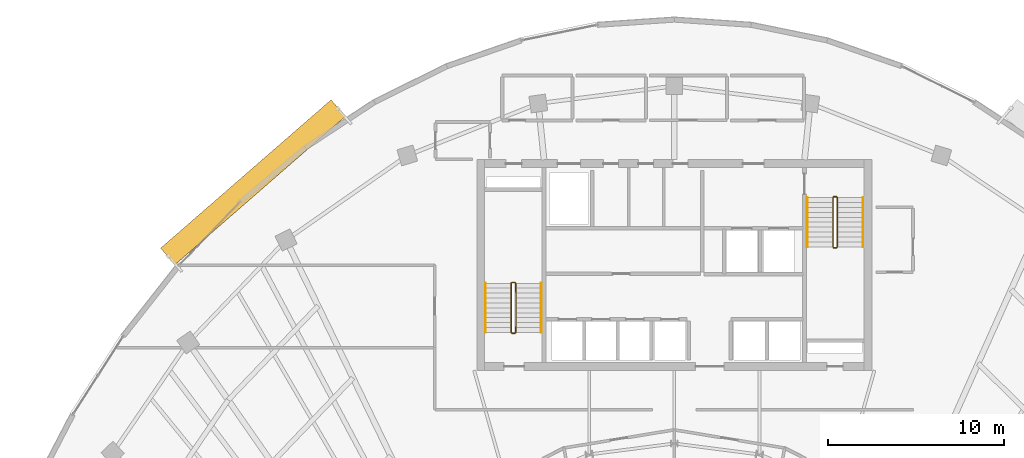
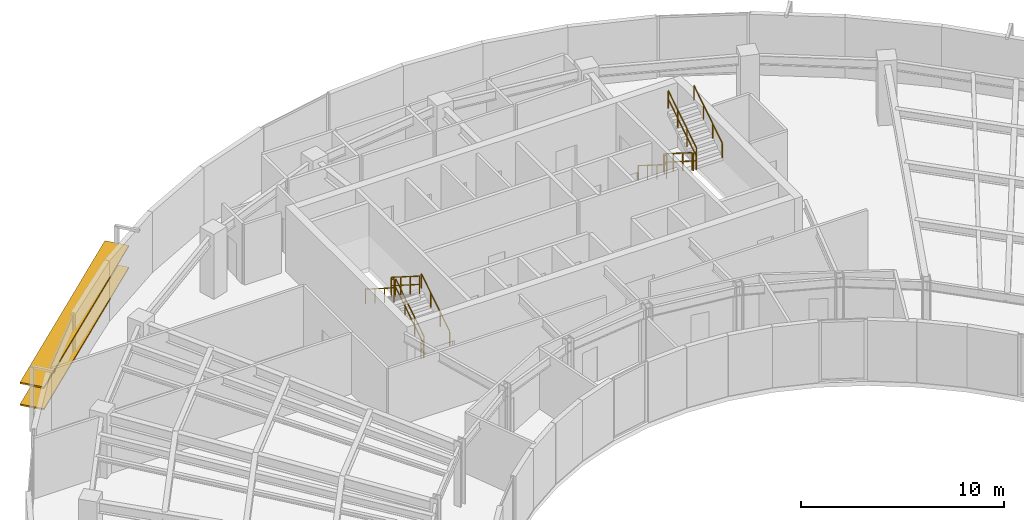
# One storey, part 13 of 14: 12 railings, 2 shading devices.
"""IFC4 building model written with IfcOpenShell, lengths in metres."""

from ifc_helpers import new_model, si_unit, direction, frame, origin, origin_2d, place, context, subcontext, project, spatial, rectangle, extrude, source, transform, mapped, material, material_profile, profile_set, type_object, element, save


model = new_model("IFC4")

# Units and contexts
model_context = context("Model", 3, precision=1e-05, world=origin(), true_north=direction((0.0, 1.0)))
body_context = subcontext(model_context, "Body", "Model", "MODEL_VIEW")
ifc_project = project(units=[si_unit("LENGTHUNIT", "METRE"), si_unit("AREAUNIT", "SQUARE_METRE"), si_unit("VOLUMEUNIT", "CUBIC_METRE"), si_unit("PLANEANGLEUNIT", "RADIAN"), si_unit("MASSUNIT", "GRAM", prefix="KILO")], contexts=[model_context])

# Site, building, storey
site_placement = place(None, origin())
site = spatial("IfcSite", under=ifc_project, at=site_placement, CompositionType="ELEMENT")
building_placement = place(site_placement, origin())
building = spatial("IfcBuilding", under=site, at=building_placement, Name="Breltana Convention Tower", CompositionType="ELEMENT")
storey_placement = place(building_placement, frame((0.0, 0.0, 207.89990234375)))
storey = spatial("IfcBuildingStorey", under=building, at=storey_placement, Name="L50", CompositionType="ELEMENT", Elevation=207.89990234375)

# Railings
ifc_material_1 = material(Name="Steel S275 Painted", Category="steel")
railing_type_1 = type_object("IfcRailingType", Name="RL-STAIR-GUARD-1100", PredefinedType="GUARDRAIL", material=ifc_material_1)
railing_1_placement = place(storey_placement, frame((38.9599609375, 62.360107421875, 0.177490234375)))
element("IfcRailing", 1, at=railing_1_placement, inside=storey, type_object=railing_type_1, Name="L50 ST-1 stair guard 1", PredefinedType="GUARDRAIL", context=body_context, shape_type="SweptSolid", body=[
    extrude(rectangle(XDim=0.048095703125, YDim=0.048095703125, at=origin_2d()), frame((0.0, 0.0, 1.076171875), z_axis=(0.0, 0.844887892834, 0.53494340686), x_axis=(-1.0, 0.0, 0.0)), (0.0, 0.0, 1.0), 3.313720703125),
    extrude(rectangle(XDim=0.048095703125, YDim=0.048095703125, at=origin_2d()), frame((0.0, 0.0, 0.572021484375), z_axis=(0.0, 0.844887892834, 0.53494340686), x_axis=(-1.0, 0.0, 0.0)), (0.0, 0.0, 1.0), 3.313720703125),
    extrude(rectangle(XDim=0.0419921875, YDim=0.0419921875, at=origin_2d()), origin(), (0.0, 0.0, 1.0), 1.052001953125),
    extrude(rectangle(XDim=0.0419921875, YDim=0.0419921875, at=origin_2d()), frame((0.0, 0.933349609375, 0.5908203125)), (0.0, 0.0, 1.0), 1.052001953125),
    extrude(rectangle(XDim=0.0419921875, YDim=0.0419921875, at=origin_2d()), frame((0.0, 1.866455078125, 1.181884765625)), (0.0, 0.0, 1.0), 1.052001953125),
    extrude(rectangle(XDim=0.0419921875, YDim=0.0419921875, at=origin_2d()), frame((0.0, 2.7998046875, 1.772705078125)), (0.0, 0.0, 1.0), 1.052001953125),
])
railing_2_placement = place(storey_placement, frame((38.909912109375, 65.2099609375, 1.9501953125)))
element("IfcRailing", 2, at=railing_2_placement, inside=storey, type_object=railing_type_1, Name="L50 ST-1 stair guard 2", PredefinedType="GUARDRAIL", context=body_context, shape_type="SweptSolid", body=[
    extrude(rectangle(XDim=0.048095703125, YDim=0.048095703125, at=origin_2d()), frame((0.0, 0.0, 1.076171875), z_axis=(-1.0, 0.0, 0.0), x_axis=(0.0, -1.0, 0.0)), (0.0, 0.0, 1.0), 0.14990234375),
    extrude(rectangle(XDim=0.048095703125, YDim=0.048095703125, at=origin_2d()), frame((0.0, 0.0, 0.572021484375), z_axis=(-1.0, 0.0, 0.0), x_axis=(0.0, -1.0, 0.0)), (0.0, 0.0, 1.0), 0.14990234375),
    extrude(rectangle(XDim=0.0419921875, YDim=0.0419921875, at=origin_2d()), origin(), (0.0, 0.0, 1.0), 1.052001953125),
    extrude(rectangle(XDim=0.0419921875, YDim=0.0419921875, at=origin_2d()), frame((-0.14990234375, 0.0, 0.0)), (0.0, 0.0, 1.0), 1.052001953125),
])
railing_3_placement = place(storey_placement, frame((38.7099609375, 65.159912109375, 2.12744140625)))
element("IfcRailing", 3, at=railing_3_placement, inside=storey, type_object=railing_type_1, Name="L50 ST-1 stair guard 3", PredefinedType="GUARDRAIL", context=body_context, shape_type="SweptSolid", body=[
    extrude(rectangle(XDim=0.048095703125, YDim=0.048095703125, at=origin_2d()), frame((0.0, 0.0, 1.076171875), z_axis=(0.0, -0.844887892834, 0.53494340686), x_axis=(1.0, 0.0, 0.0)), (0.0, 0.0, 1.0), 3.313720703125),
    extrude(rectangle(XDim=0.048095703125, YDim=0.048095703125, at=origin_2d()), frame((0.0, 0.0, 0.572021484375), z_axis=(0.0, -0.844887892834, 0.53494340686), x_axis=(1.0, 0.0, 0.0)), (0.0, 0.0, 1.0), 3.313720703125),
    extrude(rectangle(XDim=0.0419921875, YDim=0.0419921875, at=origin_2d()), origin(), (0.0, 0.0, 1.0), 1.052001953125),
    extrude(rectangle(XDim=0.0419921875, YDim=0.0419921875, at=origin_2d()), frame((0.0, -0.933349609375, 0.5908203125)), (0.0, 0.0, 1.0), 1.052001953125),
    extrude(rectangle(XDim=0.0419921875, YDim=0.0419921875, at=origin_2d()), frame((0.0, -1.866455078125, 1.181884765625)), (0.0, 0.0, 1.0), 1.052001953125),
    extrude(rectangle(XDim=0.0419921875, YDim=0.0419921875, at=origin_2d()), frame((0.0, -2.7998046875, 1.772705078125)), (0.0, 0.0, 1.0), 1.052001953125),
])
railing_4_placement = place(storey_placement, frame((38.909912109375, 62.31005859375, 0.0)))
element("IfcRailing", 4, at=railing_4_placement, inside=storey, type_object=railing_type_1, Name="L50 ST-1 stair guard 4", PredefinedType="GUARDRAIL", context=body_context, shape_type="SweptSolid", body=[
    extrude(rectangle(XDim=0.048095703125, YDim=0.048095703125, at=origin_2d()), frame((0.0, 0.0, 1.076171875), z_axis=(-1.0, 0.0, 0.0), x_axis=(0.0, -1.0, 0.0)), (0.0, 0.0, 1.0), 0.14990234375),
    extrude(rectangle(XDim=0.048095703125, YDim=0.048095703125, at=origin_2d()), frame((0.0, 0.0, 0.572021484375), z_axis=(-1.0, 0.0, 0.0), x_axis=(0.0, -1.0, 0.0)), (0.0, 0.0, 1.0), 0.14990234375),
    extrude(rectangle(XDim=0.0419921875, YDim=0.0419921875, at=origin_2d()), origin(), (0.0, 0.0, 1.0), 1.052001953125),
    extrude(rectangle(XDim=0.0419921875, YDim=0.0419921875, at=origin_2d()), frame((-0.14990234375, 0.0, 0.0)), (0.0, 0.0, 1.0), 1.052001953125),
])
railing_5_placement = place(storey_placement, frame((57.0400390625, 70.0400390625, 0.177490234375)))
element("IfcRailing", 5, at=railing_5_placement, inside=storey, type_object=railing_type_1, Name="L50 ST-2 stair guard 1", PredefinedType="GUARDRAIL", context=body_context, shape_type="SweptSolid", body=[
    extrude(rectangle(XDim=0.048095703125, YDim=0.048095703125, at=origin_2d()), frame((0.0, 0.0, 1.076171875), z_axis=(0.0, -0.844908973607, 0.534910110503), x_axis=(1.0, 0.0, 0.0)), (0.0, 0.0, 1.0), 3.31396484375),
    extrude(rectangle(XDim=0.048095703125, YDim=0.048095703125, at=origin_2d()), frame((0.0, 0.0, 0.572021484375), z_axis=(0.0, -0.844908973607, 0.534910110503), x_axis=(1.0, 0.0, 0.0)), (0.0, 0.0, 1.0), 3.31396484375),
    extrude(rectangle(XDim=0.0419921875, YDim=0.0419921875, at=origin_2d()), origin(), (0.0, 0.0, 1.0), 1.052001953125),
    extrude(rectangle(XDim=0.0419921875, YDim=0.0419921875, at=origin_2d()), frame((0.0, -0.933349609375, 0.5908203125)), (0.0, 0.0, 1.0), 1.052001953125),
    extrude(rectangle(XDim=0.0419921875, YDim=0.0419921875, at=origin_2d()), frame((0.0, -1.86669921875, 1.181884765625)), (0.0, 0.0, 1.0), 1.052001953125),
    extrude(rectangle(XDim=0.0419921875, YDim=0.0419921875, at=origin_2d()), frame((0.0, -2.800048828125, 1.772705078125)), (0.0, 0.0, 1.0), 1.052001953125),
])
railing_6_placement = place(storey_placement, frame((57.090087890625, 67.18994140625, 1.9501953125)))
element("IfcRailing", 6, at=railing_6_placement, inside=storey, type_object=railing_type_1, Name="L50 ST-2 stair guard 2", PredefinedType="GUARDRAIL", context=body_context, shape_type="SweptSolid", body=[
    extrude(rectangle(XDim=0.048095703125, YDim=0.048095703125, at=origin_2d()), frame((0.0, 0.0, 1.076171875), z_axis=(1.0, 0.0, 0.0), x_axis=(0.0, 1.0, 0.0)), (0.0, 0.0, 1.0), 0.14990234375),
    extrude(rectangle(XDim=0.048095703125, YDim=0.048095703125, at=origin_2d()), frame((0.0, 0.0, 0.572021484375), z_axis=(1.0, 0.0, 0.0), x_axis=(0.0, 1.0, 0.0)), (0.0, 0.0, 1.0), 0.14990234375),
    extrude(rectangle(XDim=0.0419921875, YDim=0.0419921875, at=origin_2d()), origin(), (0.0, 0.0, 1.0), 1.052001953125),
    extrude(rectangle(XDim=0.0419921875, YDim=0.0419921875, at=origin_2d()), frame((0.14990234375, 0.0, 0.0)), (0.0, 0.0, 1.0), 1.052001953125),
])
railing_7_placement = place(storey_placement, frame((57.2900390625, 67.239990234375, 2.12744140625)))
element("IfcRailing", 7, at=railing_7_placement, inside=storey, type_object=railing_type_1, Name="L50 ST-2 stair guard 3", PredefinedType="GUARDRAIL", context=body_context, shape_type="SweptSolid", body=[
    extrude(rectangle(XDim=0.048095703125, YDim=0.048095703125, at=origin_2d()), frame((0.0, 0.0, 1.076171875), z_axis=(0.0, 0.844908973607, 0.534910110503), x_axis=(-1.0, 0.0, 0.0)), (0.0, 0.0, 1.0), 3.31396484375),
    extrude(rectangle(XDim=0.048095703125, YDim=0.048095703125, at=origin_2d()), frame((0.0, 0.0, 0.572021484375), z_axis=(0.0, 0.844908973607, 0.534910110503), x_axis=(-1.0, 0.0, 0.0)), (0.0, 0.0, 1.0), 3.31396484375),
    extrude(rectangle(XDim=0.0419921875, YDim=0.0419921875, at=origin_2d()), origin(), (0.0, 0.0, 1.0), 1.052001953125),
    extrude(rectangle(XDim=0.0419921875, YDim=0.0419921875, at=origin_2d()), frame((0.0, 0.933349609375, 0.5908203125)), (0.0, 0.0, 1.0), 1.052001953125),
    extrude(rectangle(XDim=0.0419921875, YDim=0.0419921875, at=origin_2d()), frame((0.0, 1.86669921875, 1.181884765625)), (0.0, 0.0, 1.0), 1.052001953125),
    extrude(rectangle(XDim=0.0419921875, YDim=0.0419921875, at=origin_2d()), frame((0.0, 2.800048828125, 1.772705078125)), (0.0, 0.0, 1.0), 1.052001953125),
])
railing_8_placement = place(storey_placement, frame((57.090087890625, 70.090087890625, 0.0)))
element("IfcRailing", 8, at=railing_8_placement, inside=storey, type_object=railing_type_1, Name="L50 ST-2 stair guard 4", PredefinedType="GUARDRAIL", context=body_context, shape_type="SweptSolid", body=[
    extrude(rectangle(XDim=0.048095703125, YDim=0.048095703125, at=origin_2d()), frame((0.0, 0.0, 1.076171875), z_axis=(1.0, 0.0, 0.0), x_axis=(0.0, 1.0, 0.0)), (0.0, 0.0, 1.0), 0.14990234375),
    extrude(rectangle(XDim=0.048095703125, YDim=0.048095703125, at=origin_2d()), frame((0.0, 0.0, 0.572021484375), z_axis=(1.0, 0.0, 0.0), x_axis=(0.0, 1.0, 0.0)), (0.0, 0.0, 1.0), 0.14990234375),
    extrude(rectangle(XDim=0.0419921875, YDim=0.0419921875, at=origin_2d()), origin(), (0.0, 0.0, 1.0), 1.052001953125),
    extrude(rectangle(XDim=0.0419921875, YDim=0.0419921875, at=origin_2d()), frame((0.14990234375, 0.0, 0.0)), (0.0, 0.0, 1.0), 1.052001953125),
])
ifc_material_2 = material(Name="Stainless Steel 316L", Category="steel")
railing_type_2 = type_object("IfcRailingType", Name="RL-STAIR-HANDRAIL-900", PredefinedType="HANDRAIL", material=ifc_material_2)
railing_9_placement = place(storey_placement, frame((40.419921875, 62.360107421875, 0.177490234375)))
element("IfcRailing", 9, at=railing_9_placement, inside=storey, type_object=railing_type_2, Name="L50 ST-1 stair handrail 1", PredefinedType="HANDRAIL", context=body_context, shape_type="SweptSolid", body=[
    extrude(rectangle(XDim=0.048095703125, YDim=0.048095703125, at=origin_2d()), frame((0.0, 0.0, 0.8759765625), z_axis=(0.0, 0.844887892834, 0.53494340686), x_axis=(-1.0, 0.0, 0.0)), (0.0, 0.0, 1.0), 3.313720703125),
    extrude(rectangle(XDim=0.0419921875, YDim=0.0419921875, at=origin_2d()), origin(), (0.0, 0.0, 1.0), 0.851806640625),
    extrude(rectangle(XDim=0.0419921875, YDim=0.0419921875, at=origin_2d()), frame((0.0, 0.933349609375, 0.5908203125)), (0.0, 0.0, 1.0), 0.851806640625),
    extrude(rectangle(XDim=0.0419921875, YDim=0.0419921875, at=origin_2d()), frame((0.0, 1.866455078125, 1.181884765625)), (0.0, 0.0, 1.0), 0.851806640625),
    extrude(rectangle(XDim=0.0419921875, YDim=0.0419921875, at=origin_2d()), frame((0.0, 2.7998046875, 1.772705078125)), (0.0, 0.0, 1.0), 0.851806640625),
])
railing_10_placement = place(storey_placement, frame((37.25, 65.159912109375, 2.12744140625)))
element("IfcRailing", 10, at=railing_10_placement, inside=storey, type_object=railing_type_2, Name="L50 ST-1 stair handrail 2", PredefinedType="HANDRAIL", context=body_context, shape_type="SweptSolid", body=[
    extrude(rectangle(XDim=0.048095703125, YDim=0.048095703125, at=origin_2d()), frame((0.0, 0.0, 0.8759765625), z_axis=(0.0, -0.844887892834, 0.53494340686), x_axis=(1.0, 0.0, 0.0)), (0.0, 0.0, 1.0), 3.313720703125),
    extrude(rectangle(XDim=0.0419921875, YDim=0.0419921875, at=origin_2d()), origin(), (0.0, 0.0, 1.0), 0.851806640625),
    extrude(rectangle(XDim=0.0419921875, YDim=0.0419921875, at=origin_2d()), frame((0.0, -0.933349609375, 0.5908203125)), (0.0, 0.0, 1.0), 0.851806640625),
    extrude(rectangle(XDim=0.0419921875, YDim=0.0419921875, at=origin_2d()), frame((0.0, -1.866455078125, 1.181884765625)), (0.0, 0.0, 1.0), 0.851806640625),
    extrude(rectangle(XDim=0.0419921875, YDim=0.0419921875, at=origin_2d()), frame((0.0, -2.7998046875, 1.772705078125)), (0.0, 0.0, 1.0), 0.851806640625),
])
railing_11_placement = place(storey_placement, frame((55.580078125, 70.0400390625, 0.177490234375)))
element("IfcRailing", 11, at=railing_11_placement, inside=storey, type_object=railing_type_2, Name="L50 ST-2 stair handrail 1", PredefinedType="HANDRAIL", context=body_context, shape_type="SweptSolid", body=[
    extrude(rectangle(XDim=0.048095703125, YDim=0.048095703125, at=origin_2d()), frame((0.0, 0.0, 0.8759765625), z_axis=(0.0, -0.844908973607, 0.534910110503), x_axis=(1.0, 0.0, 0.0)), (0.0, 0.0, 1.0), 3.31396484375),
    extrude(rectangle(XDim=0.0419921875, YDim=0.0419921875, at=origin_2d()), origin(), (0.0, 0.0, 1.0), 0.851806640625),
    extrude(rectangle(XDim=0.0419921875, YDim=0.0419921875, at=origin_2d()), frame((0.0, -0.933349609375, 0.5908203125)), (0.0, 0.0, 1.0), 0.851806640625),
    extrude(rectangle(XDim=0.0419921875, YDim=0.0419921875, at=origin_2d()), frame((0.0, -1.86669921875, 1.181884765625)), (0.0, 0.0, 1.0), 0.851806640625),
    extrude(rectangle(XDim=0.0419921875, YDim=0.0419921875, at=origin_2d()), frame((0.0, -2.800048828125, 1.772705078125)), (0.0, 0.0, 1.0), 0.851806640625),
])
railing_12_placement = place(storey_placement, frame((58.75, 67.239990234375, 2.12744140625)))
element("IfcRailing", 12, at=railing_12_placement, inside=storey, type_object=railing_type_2, Name="L50 ST-2 stair handrail 2", PredefinedType="HANDRAIL", context=body_context, shape_type="SweptSolid", body=[
    extrude(rectangle(XDim=0.048095703125, YDim=0.048095703125, at=origin_2d()), frame((0.0, 0.0, 0.8759765625), z_axis=(0.0, 0.844908973607, 0.534910110503), x_axis=(-1.0, 0.0, 0.0)), (0.0, 0.0, 1.0), 3.31396484375),
    extrude(rectangle(XDim=0.0419921875, YDim=0.0419921875, at=origin_2d()), origin(), (0.0, 0.0, 1.0), 0.851806640625),
    extrude(rectangle(XDim=0.0419921875, YDim=0.0419921875, at=origin_2d()), frame((0.0, 0.933349609375, 0.5908203125)), (0.0, 0.0, 1.0), 0.851806640625),
    extrude(rectangle(XDim=0.0419921875, YDim=0.0419921875, at=origin_2d()), frame((0.0, 1.86669921875, 1.181884765625)), (0.0, 0.0, 1.0), 0.851806640625),
    extrude(rectangle(XDim=0.0419921875, YDim=0.0419921875, at=origin_2d()), frame((0.0, 2.800048828125, 1.772705078125)), (0.0, 0.0, 1.0), 0.851806640625),
])

# Shading devices
ifc_material_3 = material(Name="Limestone Warm Buff Honed", Category="masonry")
ifc_material_profile = material_profile(ifc_material_3, rectangle(XDim=1.25, YDim=0.090087890625, at=origin_2d()), Name="STN-LVR-1250X90")
ifc_profile_set = profile_set([ifc_material_profile], Name="Limestone Warm Buff Honed")
shading_device_type = type_object("IfcShadingDeviceType", Name="SHD-OUTER-SKIN-LIMESTONE-1250", PredefinedType="JALOUSIE", material=ifc_profile_set)
shared_shape = source(origin(), body_context, "Body", "SweptSolid", [
    extrude(rectangle(XDim=1.25, YDim=0.090087890625, at=origin_2d()), origin(), (0.0, 0.0, 1.0), 12.87255859375),
])
for number, where, z_axis, x_axis, name in (
    (13, (19.147216796875, 66.69140625, 1.310546875), (0.754370287864, 0.656449136482, 0.0), (-0.656449136482, 0.754370287864, 0.0), "L50 outer skin warm limestone louvre 1.1"),
    (14, (19.147216796875, 66.69140625, 2.620849609375), (0.754370287864, 0.656449136482, 0.0), (-0.656449136482, 0.754370287864, 0.0), "L50 outer skin warm limestone louvre 1.2"),
):
    element("IfcShadingDevice", number, at=place(storey_placement, frame(where, z_axis=z_axis, x_axis=x_axis)), inside=storey, type_object=shading_device_type, Name=name, PredefinedType="JALOUSIE", context=body_context, shape_type="MappedRepresentation", body=[
        mapped(shared_shape, transform((0.0, 0.0, 0.0), scale=1.0)),
    ])

save(model, "model.ifc")
